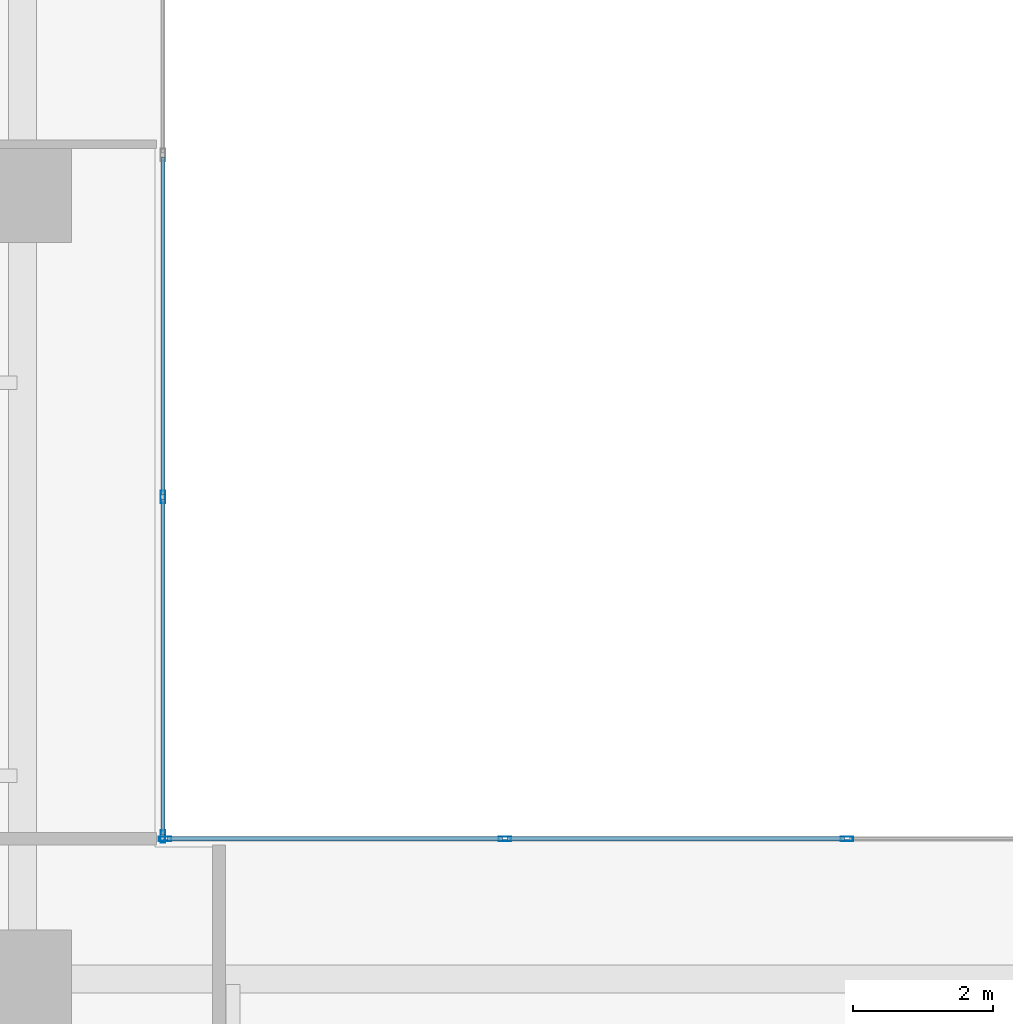
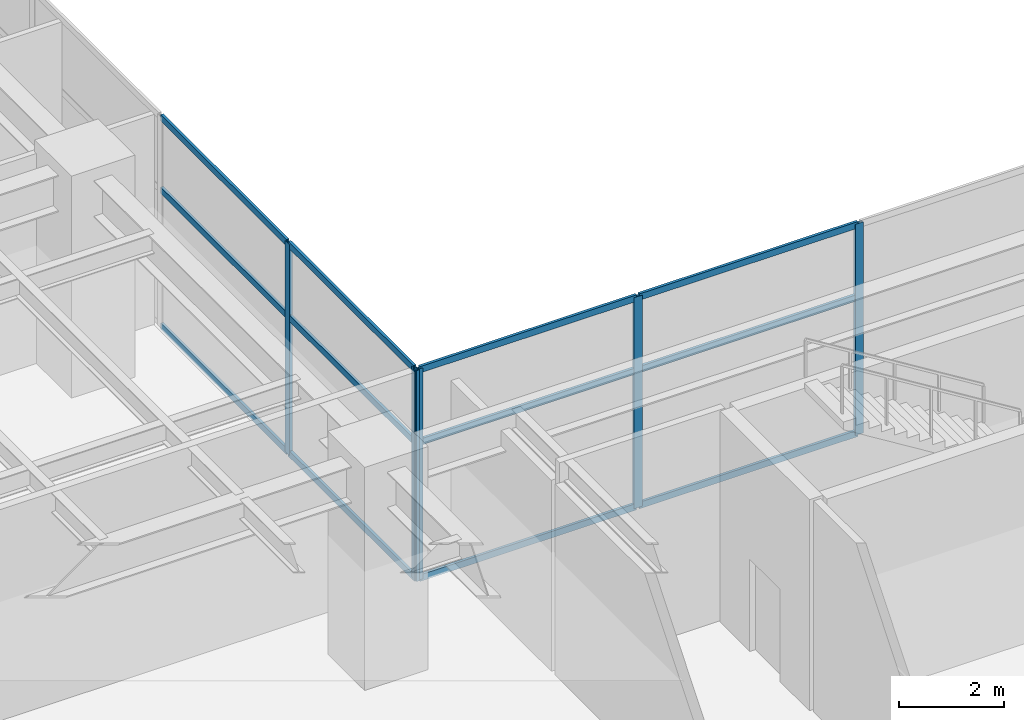
# One storey, part 8 of 22: 17 members, 2 elements without a shape of their own.
"""IFC4 building model written with IfcOpenShell, lengths in metres."""

from ifc_helpers import new_model, si_unit, direction, frame, origin, origin_2d, place, context, subcontext, project, spatial, hollow_rectangle, extrude, material, layer, layer_set, material_profile, profile_set, type_object, element, aggregate, save


model = new_model("IFC4")

# Units and contexts
model_context = context("Model", 3, precision=1e-05, world=origin(), true_north=direction((0.0, 1.0)))
body_context = subcontext(model_context, "Body", "Model", "MODEL_VIEW")
ifc_project = project(units=[si_unit("LENGTHUNIT", "METRE"), si_unit("AREAUNIT", "SQUARE_METRE"), si_unit("VOLUMEUNIT", "CUBIC_METRE"), si_unit("PLANEANGLEUNIT", "RADIAN"), si_unit("MASSUNIT", "GRAM", prefix="KILO")], contexts=[model_context])

# Site, building, storey
site_placement = place(None, origin())
site = spatial("IfcSite", under=ifc_project, at=site_placement, CompositionType="ELEMENT")
building_placement = place(site_placement, origin())
building = spatial("IfcBuilding", under=site, at=building_placement, Name="Mawjaban Terraces University", CompositionType="ELEMENT")
storey_placement = place(building_placement, frame((0.0, 0.0, 5.199951171875)))
storey = spatial("IfcBuildingStorey", under=building, at=storey_placement, Name="L01", CompositionType="ELEMENT", Elevation=5.199951171875)

# Curtain wall, members
ifc_material_1 = material(Name="Anodised aluminium 6063-T6 and solar-control low-E glass", Category="aluminium")
ifc_layer = layer(ifc_material_1, 0.179931640625)
ifc_layer_set = layer_set([ifc_layer], Name="Anodised aluminium 6063-T6 and solar-control low-E glass")
curtain_wall_type = type_object("IfcCurtainWallType", Name="CWSystem_01_PlazaFoyer", PredefinedType="NOTDEFINED", material=ifc_layer_set)
curtain_wall_1_placement = place(storey_placement, origin())
curtain_wall_1 = element("IfcCurtainWall", 1, at=curtain_wall_1_placement, inside=storey, type_object=curtain_wall_type, Name="L01 Curtain Wall CW-01 Run 5.1", PredefinedType="NOTDEFINED")
ifc_material_2 = material(Name="Anodised aluminium 6063-T6", Category="aluminium")
ifc_material_profile_1 = material_profile(ifc_material_2, hollow_rectangle(XDim=0.06494140625, YDim=0.179931640625, WallThickness=0.00390625, at=origin_2d()), Name="ALU180X65X4")
ifc_profile_set_1 = profile_set([ifc_material_profile_1], Name="Anodised aluminium 6063-T6")
member_type_1 = type_object("IfcMemberType", Name="Mullion_CW-01", PredefinedType="MULLION", material=ifc_profile_set_1)
member_1_placement = place(storey_placement, frame((63.75, 32.0, 0.0), z_axis=(0.0, 0.0, 1.0), x_axis=(0.0, -1.0, 0.0)))
member_1 = element("IfcMember", 2, at=member_1_placement, type_object=member_type_1, Name="CW-01 mullion 3", PredefinedType="MULLION", context=body_context, shape_type="SweptSolid", body=[
    extrude(hollow_rectangle(XDim=0.06494140625, YDim=0.179931640625, WallThickness=0.00390625, at=origin_2d()), origin(), (0.0, 0.0, 1.0), 4.920166015625),
])
member_2_placement = place(storey_placement, frame((58.875, 32.0, 0.0), z_axis=(0.0, 0.0, 1.0), x_axis=(0.0, -1.0, 0.0)))
member_2 = element("IfcMember", 3, at=member_2_placement, type_object=member_type_1, Name="CW-01 mullion 4", PredefinedType="MULLION", context=body_context, shape_type="SweptSolid", body=[
    extrude(hollow_rectangle(XDim=0.06494140625, YDim=0.179931640625, WallThickness=0.00390625, at=origin_2d()), origin(), (0.0, 0.0, 1.0), 4.920166015625),
])
member_3_placement = place(storey_placement, frame((54.032470703125, 32.0, 0.0), z_axis=(0.0, 0.0, 1.0), x_axis=(0.0, -1.0, 0.0)))
member_3 = element("IfcMember", 4, at=member_3_placement, type_object=member_type_1, Name="CW-01 mullion 5", PredefinedType="MULLION", context=body_context, shape_type="SweptSolid", body=[
    extrude(hollow_rectangle(XDim=0.06494140625, YDim=0.179931640625, WallThickness=0.00390625, at=origin_2d()), origin(), (0.0, 0.0, 1.0), 4.920166015625),
])

curtain_wall_2_placement = place(storey_placement, origin())
curtain_wall_2 = element("IfcCurtainWall", 5, at=curtain_wall_2_placement, inside=storey, type_object=curtain_wall_type, Name="L01 Curtain Wall CW-01 Run 6.1", PredefinedType="NOTDEFINED")
member_4_placement = place(storey_placement, frame((54.0, 32.032470703125, 0.0), z_axis=(0.0, 0.0, 1.0), x_axis=(-1.0, 0.0, 0.0)))
member_4 = element("IfcMember", 6, at=member_4_placement, type_object=member_type_1, Name="CW-01 mullion 1", PredefinedType="MULLION", context=body_context, shape_type="SweptSolid", body=[
    extrude(hollow_rectangle(XDim=0.06494140625, YDim=0.179931640625, WallThickness=0.00390625, at=origin_2d()), origin(), (0.0, 0.0, 1.0), 4.920166015625),
])
member_5_placement = place(storey_placement, frame((54.0, 36.875, 0.0), z_axis=(0.0, 0.0, 1.0), x_axis=(-1.0, 0.0, 0.0)))
member_5 = element("IfcMember", 7, at=member_5_placement, type_object=member_type_1, Name="CW-01 mullion 2", PredefinedType="MULLION", context=body_context, shape_type="SweptSolid", body=[
    extrude(hollow_rectangle(XDim=0.06494140625, YDim=0.179931640625, WallThickness=0.00390625, at=origin_2d()), origin(), (0.0, 0.0, 1.0), 4.920166015625),
])

# Member
ifc_material_profile_2 = material_profile(ifc_material_2, hollow_rectangle(XDim=0.06005859375, YDim=0.14990234375, WallThickness=0.00390625, at=origin_2d()), Name="ALU150X60X4")
ifc_profile_set_2 = profile_set([ifc_material_profile_2], Name="Anodised aluminium 6063-T6")
member_type_2 = type_object("IfcMemberType", Name="Transom_CW-01", PredefinedType="NOTDEFINED", material=ifc_profile_set_2)
member_6_placement = place(storey_placement, frame((63.717529296875, 32.0, 0.030029296875), z_axis=(-1.0, 0.0, 0.0), x_axis=(0.0, -1.0, 0.0)))
member_6 = element("IfcMember", 8, at=member_6_placement, type_object=member_type_2, Name="CW-01 transom 3.1", ObjectType="TRANSOM", PredefinedType="USERDEFINED", context=body_context, shape_type="SweptSolid", body=[
    extrude(hollow_rectangle(XDim=0.06005859375, YDim=0.14990234375, WallThickness=0.00390625, at=origin_2d()), origin(), (0.0, 0.0, 1.0), 4.81005859375),
])

member_7_placement = place(storey_placement, frame((63.717529296875, 32.0, 3.197998046875), z_axis=(-1.0, 0.0, 0.0), x_axis=(0.0, -1.0, 0.0)))
member_7 = element("IfcMember", 9, at=member_7_placement, type_object=member_type_2, Name="CW-01 transom 3.2", ObjectType="TRANSOM", PredefinedType="USERDEFINED", context=body_context, shape_type="SweptSolid", body=[
    extrude(hollow_rectangle(XDim=0.06005859375, YDim=0.14990234375, WallThickness=0.00390625, at=origin_2d()), origin(), (0.0, 0.0, 1.0), 4.81005859375),
])

member_8_placement = place(storey_placement, frame((63.717529296875, 32.0, 4.89013671875), z_axis=(-1.0, 0.0, 0.0), x_axis=(0.0, -1.0, 0.0)))
member_8 = element("IfcMember", 10, at=member_8_placement, type_object=member_type_2, Name="CW-01 transom 3.3", ObjectType="TRANSOM", PredefinedType="USERDEFINED", context=body_context, shape_type="SweptSolid", body=[
    extrude(hollow_rectangle(XDim=0.06005859375, YDim=0.14990234375, WallThickness=0.00390625, at=origin_2d()), origin(), (0.0, 0.0, 1.0), 4.81005859375),
])

member_9_placement = place(storey_placement, frame((58.842529296875, 32.0, 0.030029296875), z_axis=(-1.0, 0.0, 0.0), x_axis=(0.0, -1.0, 0.0)))
member_9 = element("IfcMember", 11, at=member_9_placement, type_object=member_type_2, Name="CW-01 transom 4.1", ObjectType="TRANSOM", PredefinedType="USERDEFINED", context=body_context, shape_type="SweptSolid", body=[
    extrude(hollow_rectangle(XDim=0.06005859375, YDim=0.14990234375, WallThickness=0.00390625, at=origin_2d()), origin(), (0.0, 0.0, 1.0), 4.777587890625),
])

member_10_placement = place(storey_placement, frame((58.842529296875, 32.0, 3.197998046875), z_axis=(-1.0, 0.0, 0.0), x_axis=(0.0, -1.0, 0.0)))
member_10 = element("IfcMember", 12, at=member_10_placement, type_object=member_type_2, Name="CW-01 transom 4.2", ObjectType="TRANSOM", PredefinedType="USERDEFINED", context=body_context, shape_type="SweptSolid", body=[
    extrude(hollow_rectangle(XDim=0.06005859375, YDim=0.14990234375, WallThickness=0.00390625, at=origin_2d()), origin(), (0.0, 0.0, 1.0), 4.777587890625),
])

member_11_placement = place(storey_placement, frame((58.842529296875, 32.0, 4.89013671875), z_axis=(-1.0, 0.0, 0.0), x_axis=(0.0, -1.0, 0.0)))
member_11 = element("IfcMember", 13, at=member_11_placement, type_object=member_type_2, Name="CW-01 transom 4.3", ObjectType="TRANSOM", PredefinedType="USERDEFINED", context=body_context, shape_type="SweptSolid", body=[
    extrude(hollow_rectangle(XDim=0.06005859375, YDim=0.14990234375, WallThickness=0.00390625, at=origin_2d()), origin(), (0.0, 0.0, 1.0), 4.777587890625),
])

aggregate(curtain_wall_1, [member_1, member_2, member_3, member_6, member_7, member_8, member_9, member_10, member_11])

member_12_placement = place(storey_placement, frame((54.0, 32.06494140625, 0.030029296875), z_axis=(0.0, 1.0, 0.0), x_axis=(-1.0, 0.0, 0.0)))
member_12 = element("IfcMember", 14, at=member_12_placement, type_object=member_type_2, Name="CW-01 transom 1.1", ObjectType="TRANSOM", PredefinedType="USERDEFINED", context=body_context, shape_type="SweptSolid", body=[
    extrude(hollow_rectangle(XDim=0.06005859375, YDim=0.14990234375, WallThickness=0.00390625, at=origin_2d()), origin(), (0.0, 0.0, 1.0), 4.777587890625),
])

member_13_placement = place(storey_placement, frame((54.0, 32.06494140625, 3.197998046875), z_axis=(0.0, 1.0, 0.0), x_axis=(-1.0, 0.0, 0.0)))
member_13 = element("IfcMember", 15, at=member_13_placement, type_object=member_type_2, Name="CW-01 transom 1.2", ObjectType="TRANSOM", PredefinedType="USERDEFINED", context=body_context, shape_type="SweptSolid", body=[
    extrude(hollow_rectangle(XDim=0.06005859375, YDim=0.14990234375, WallThickness=0.00390625, at=origin_2d()), origin(), (0.0, 0.0, 1.0), 4.777587890625),
])

member_14_placement = place(storey_placement, frame((54.0, 32.06494140625, 4.89013671875), z_axis=(0.0, 1.0, 0.0), x_axis=(-1.0, 0.0, 0.0)))
member_14 = element("IfcMember", 16, at=member_14_placement, type_object=member_type_2, Name="CW-01 transom 1.3", ObjectType="TRANSOM", PredefinedType="USERDEFINED", context=body_context, shape_type="SweptSolid", body=[
    extrude(hollow_rectangle(XDim=0.06005859375, YDim=0.14990234375, WallThickness=0.00390625, at=origin_2d()), origin(), (0.0, 0.0, 1.0), 4.777587890625),
])

member_15_placement = place(storey_placement, frame((54.0, 36.907470703125, 0.030029296875), z_axis=(0.0, 1.0, 0.0), x_axis=(-1.0, 0.0, 0.0)))
member_15 = element("IfcMember", 17, at=member_15_placement, type_object=member_type_2, Name="CW-01 transom 2.1", ObjectType="TRANSOM", PredefinedType="USERDEFINED", context=body_context, shape_type="SweptSolid", body=[
    extrude(hollow_rectangle(XDim=0.06005859375, YDim=0.14990234375, WallThickness=0.00390625, at=origin_2d()), origin(), (0.0, 0.0, 1.0), 4.81005859375),
])

member_16_placement = place(storey_placement, frame((54.0, 36.907470703125, 3.197998046875), z_axis=(0.0, 1.0, 0.0), x_axis=(-1.0, 0.0, 0.0)))
member_16 = element("IfcMember", 18, at=member_16_placement, type_object=member_type_2, Name="CW-01 transom 2.2", ObjectType="TRANSOM", PredefinedType="USERDEFINED", context=body_context, shape_type="SweptSolid", body=[
    extrude(hollow_rectangle(XDim=0.06005859375, YDim=0.14990234375, WallThickness=0.00390625, at=origin_2d()), origin(), (0.0, 0.0, 1.0), 4.81005859375),
])

member_17_placement = place(storey_placement, frame((54.0, 36.907470703125, 4.89013671875), z_axis=(0.0, 1.0, 0.0), x_axis=(-1.0, 0.0, 0.0)))
member_17 = element("IfcMember", 19, at=member_17_placement, type_object=member_type_2, Name="CW-01 transom 2.3", ObjectType="TRANSOM", PredefinedType="USERDEFINED", context=body_context, shape_type="SweptSolid", body=[
    extrude(hollow_rectangle(XDim=0.06005859375, YDim=0.14990234375, WallThickness=0.00390625, at=origin_2d()), origin(), (0.0, 0.0, 1.0), 4.81005859375),
])

aggregate(curtain_wall_2, [member_4, member_5, member_12, member_13, member_14, member_15, member_16, member_17])

save(model, "model.ifc")
